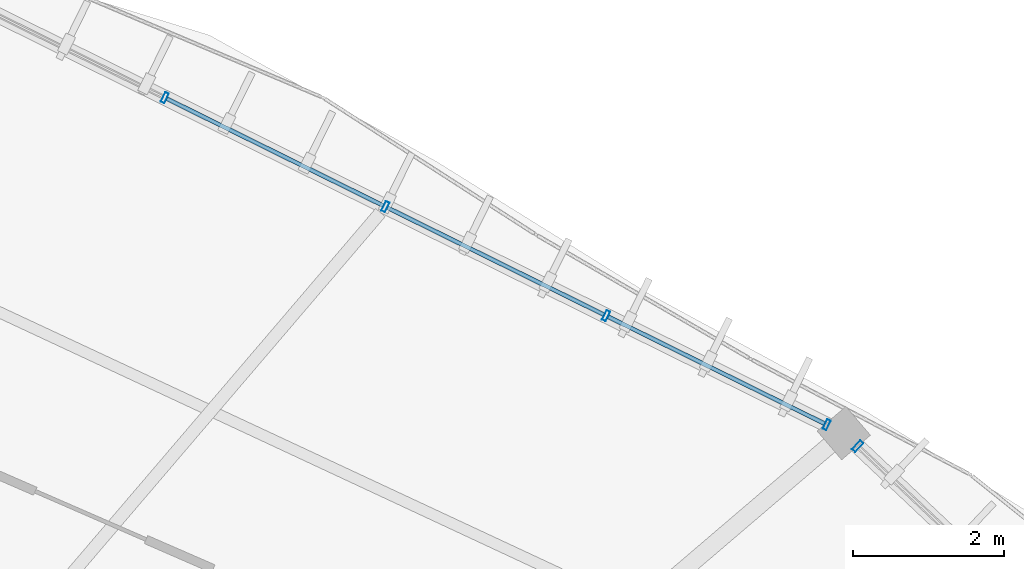
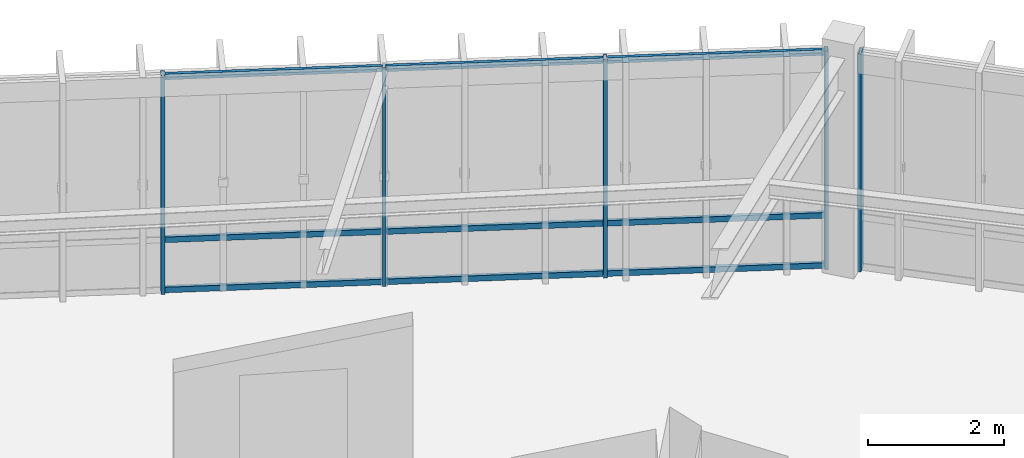
# One storey, part 62 of 78: 14 members, 2 elements without a shape of their own.
"""IFC4 building model written with IfcOpenShell, lengths in metres."""

from ifc_helpers import new_model, si_unit, direction, frame, origin, origin_2d, place, context, subcontext, project, spatial, hollow_rectangle, extrude, material, material_profile, profile_set, type_object, element, aggregate, save


model = new_model("IFC4")

# Units and contexts
model_context = context("Model", 3, precision=1e-05, world=origin(), true_north=direction((0.0, 1.0)))
body_context = subcontext(model_context, "Body", "Model", "MODEL_VIEW")
ifc_project = project(units=[si_unit("LENGTHUNIT", "METRE"), si_unit("AREAUNIT", "SQUARE_METRE"), si_unit("VOLUMEUNIT", "CUBIC_METRE"), si_unit("PLANEANGLEUNIT", "RADIAN"), si_unit("MASSUNIT", "GRAM", prefix="KILO"), si_unit("THERMODYNAMICTEMPERATUREUNIT", "KELVIN"), si_unit("POWERUNIT", "WATT")], contexts=[model_context])

# Site, building, storey
site_placement = place(None, origin())
site = spatial("IfcSite", under=ifc_project, at=site_placement, CompositionType="ELEMENT")
building_placement = place(site_placement, origin())
building = spatial("IfcBuilding", under=site, at=building_placement, Name="Darbajah Civic Hall", CompositionType="ELEMENT")
storey_placement = place(building_placement, frame((0.0, 0.0, 26.39990234375)))
storey = spatial("IfcBuildingStorey", under=building, at=storey_placement, Name="L06", CompositionType="ELEMENT", Elevation=26.39990234375)

# Curtain wall, members
ifc_material_1 = material(Name="Anodised Bronze Aluminium and Low-E Glazing", Category="aluminium")
curtain_wall_type_1 = type_object("IfcCurtainWallType", Name="Unitised Curtain Wall CW-79 13000x3900", PredefinedType="USERDEFINED", material=ifc_material_1)
curtain_wall_1_placement = place(storey_placement, origin())
curtain_wall_1 = element("IfcCurtainWall", 1, at=curtain_wall_1_placement, inside=storey, type_object=curtain_wall_type_1, Name="L06 unitised curtain wall CW-V1O-L06-02", ObjectType="UNITISED CURTAIN WALL", PredefinedType="USERDEFINED")
ifc_material_2 = material(Name="Anodised Bronze Aluminium", Category="aluminium")
ifc_material_profile_1 = material_profile(ifc_material_2, hollow_rectangle(XDim=0.054931640625, YDim=0.139892578125, WallThickness=0.003173828125, at=origin_2d()), Name="ALU MULLION 55x140")
ifc_profile_set_1 = profile_set([ifc_material_profile_1], Name="Anodised Bronze Aluminium")
member_type_1 = type_object("IfcMemberType", Name="ALU MULLION 55x140", PredefinedType="MULLION", material=ifc_profile_set_1)
member_1_placement = place(storey_placement, frame((127.65478515625, 109.0703125, 0.0), z_axis=(0.0, 0.0, 1.0), x_axis=(-0.89656374724, 0.442914717678, 0.0)))
member_1 = element("IfcMember", 2, at=member_1_placement, type_object=member_type_1, Name="CW-V1O-L06-02 mullion 1", PredefinedType="MULLION", context=body_context, shape_type="SweptSolid", body=[
    extrude(hollow_rectangle(XDim=0.054931640625, YDim=0.139892578125, WallThickness=0.003173828125, at=origin_2d()), origin(), (0.0, 0.0, 1.0), 3.920166015625),
])
member_2_placement = place(storey_placement, frame((124.734375, 110.51318359375, 0.0), z_axis=(0.0, 0.0, 1.0), x_axis=(-0.89656374724, 0.442914717678, 0.0)))
member_2 = element("IfcMember", 3, at=member_2_placement, type_object=member_type_1, Name="CW-V1O-L06-02 mullion 2", PredefinedType="MULLION", context=body_context, shape_type="SweptSolid", body=[
    extrude(hollow_rectangle(XDim=0.054931640625, YDim=0.139892578125, WallThickness=0.003173828125, at=origin_2d()), origin(), (0.0, 0.0, 1.0), 3.920166015625),
])
member_3_placement = place(storey_placement, frame((121.81396484375, 111.955810546875, 0.0), z_axis=(0.0, 0.0, 1.0), x_axis=(-0.89656374724, 0.442914717678, 0.0)))
member_3 = element("IfcMember", 4, at=member_3_placement, type_object=member_type_1, Name="CW-V1O-L06-02 mullion 3", PredefinedType="MULLION", context=body_context, shape_type="SweptSolid", body=[
    extrude(hollow_rectangle(XDim=0.054931640625, YDim=0.139892578125, WallThickness=0.003173828125, at=origin_2d()), origin(), (0.0, 0.0, 1.0), 3.920166015625),
])
member_4_placement = place(storey_placement, frame((118.893798828125, 113.398681640625, 0.0), z_axis=(0.0, 0.0, 1.0), x_axis=(-0.89656374724, 0.442914717678, 0.0)))
member_4 = element("IfcMember", 5, at=member_4_placement, type_object=member_type_1, Name="CW-V1O-L06-02 mullion 4", PredefinedType="MULLION", context=body_context, shape_type="SweptSolid", body=[
    extrude(hollow_rectangle(XDim=0.054931640625, YDim=0.139892578125, WallThickness=0.003173828125, at=origin_2d()), origin(), (0.0, 0.0, 1.0), 3.920166015625),
])

# Curtain wall, member
curtain_wall_type_2 = type_object("IfcCurtainWallType", Name="Unitised Curtain Wall CW-86 11000x3900", PredefinedType="USERDEFINED", material=ifc_material_1)
curtain_wall_2_placement = place(storey_placement, origin())
curtain_wall_2 = element("IfcCurtainWall", 6, at=curtain_wall_2_placement, inside=storey, type_object=curtain_wall_type_2, Name="L06 unitised curtain wall CW-V1O-L06-01", ObjectType="UNITISED CURTAIN WALL", PredefinedType="USERDEFINED")
ifc_material_profile_2 = material_profile(ifc_material_2, hollow_rectangle(XDim=0.06005859375, YDim=0.159912109375, WallThickness=0.00341796875, at=origin_2d()), Name="ALU MULLION 60x160")
ifc_profile_set_2 = profile_set([ifc_material_profile_2], Name="Anodised Bronze Aluminium")
member_type_2 = type_object("IfcMemberType", Name="ALU MULLION 60x160", PredefinedType="MULLION", material=ifc_profile_set_2)
member_5_placement = place(storey_placement, frame((128.06396484375, 108.78564453125, 0.0), z_axis=(0.0, 0.0, 1.0), x_axis=(-0.727173991201, 0.686453193248, 0.0)))
member_5 = element("IfcMember", 7, at=member_5_placement, type_object=member_type_2, Name="CW-V1O-L06-01 mullion 5", PredefinedType="MULLION", context=body_context, shape_type="SweptSolid", body=[
    extrude(hollow_rectangle(XDim=0.06005859375, YDim=0.159912109375, WallThickness=0.00341796875, at=origin_2d()), origin(), (0.0, 0.0, 1.0), 3.920166015625),
])
aggregate(curtain_wall_2, [member_5])

# Member
ifc_material_profile_3 = material_profile(ifc_material_2, hollow_rectangle(XDim=0.054931640625, YDim=0.10009765625, WallThickness=0.0029296875, at=origin_2d()), Name="ALU TRANSOM 55x100")
ifc_profile_set_3 = profile_set([ifc_material_profile_3], Name="Anodised Bronze Aluminium")
member_type_3 = type_object("IfcMemberType", Name="ALU TRANSOM 55x100", PredefinedType="USERDEFINED", material=ifc_profile_set_3)
member_6_placement = place(storey_placement, frame((127.625732421875, 109.084716796875, 0.050048828125), z_axis=(-0.896543151923, 0.442956405011, 0.0), x_axis=(-0.442956405011, -0.896543151923, 0.0)))
member_6 = element("IfcMember", 8, at=member_6_placement, type_object=member_type_3, Name="CW-V1O-L06-02 transom 1.1", ObjectType="TRANSOM", PredefinedType="USERDEFINED", context=body_context, shape_type="SweptSolid", body=[
    extrude(hollow_rectangle(XDim=0.054931640625, YDim=0.10009765625, WallThickness=0.0029296875, at=origin_2d()), origin(), (0.0, 0.0, 1.0), 3.1923828125),
])

member_7_placement = place(storey_placement, frame((127.625732421875, 109.084716796875, 0.9501953125), z_axis=(-0.896543151923, 0.442956405011, 0.0), x_axis=(-0.442956405011, -0.896543151923, 0.0)))
member_7 = element("IfcMember", 9, at=member_7_placement, type_object=member_type_3, Name="CW-V1O-L06-02 transom 1.2", ObjectType="TRANSOM", PredefinedType="USERDEFINED", context=body_context, shape_type="SweptSolid", body=[
    extrude(hollow_rectangle(XDim=0.054931640625, YDim=0.10009765625, WallThickness=0.0029296875, at=origin_2d()), origin(), (0.0, 0.0, 1.0), 3.1923828125),
])

member_8_placement = place(storey_placement, frame((127.625732421875, 109.084716796875, 3.8701171875), z_axis=(-0.896543151923, 0.442956405011, 0.0), x_axis=(-0.442956405011, -0.896543151923, 0.0)))
member_8 = element("IfcMember", 10, at=member_8_placement, type_object=member_type_3, Name="CW-V1O-L06-02 transom 1.3", ObjectType="TRANSOM", PredefinedType="USERDEFINED", context=body_context, shape_type="SweptSolid", body=[
    extrude(hollow_rectangle(XDim=0.054931640625, YDim=0.10009765625, WallThickness=0.0029296875, at=origin_2d()), origin(), (0.0, 0.0, 1.0), 3.1923828125),
])

member_9_placement = place(storey_placement, frame((124.705322265625, 110.52734375, 0.050048828125), z_axis=(-0.896543151923, 0.442956405011, 0.0), x_axis=(-0.442956405011, -0.896543151923, 0.0)))
member_9 = element("IfcMember", 11, at=member_9_placement, type_object=member_type_3, Name="CW-V1O-L06-02 transom 2.1", ObjectType="TRANSOM", PredefinedType="USERDEFINED", context=body_context, shape_type="SweptSolid", body=[
    extrude(hollow_rectangle(XDim=0.054931640625, YDim=0.10009765625, WallThickness=0.0029296875, at=origin_2d()), origin(), (0.0, 0.0, 1.0), 3.1923828125),
])

member_10_placement = place(storey_placement, frame((124.705322265625, 110.52734375, 0.9501953125), z_axis=(-0.896543151923, 0.442956405011, 0.0), x_axis=(-0.442956405011, -0.896543151923, 0.0)))
member_10 = element("IfcMember", 12, at=member_10_placement, type_object=member_type_3, Name="CW-V1O-L06-02 transom 2.2", ObjectType="TRANSOM", PredefinedType="USERDEFINED", context=body_context, shape_type="SweptSolid", body=[
    extrude(hollow_rectangle(XDim=0.054931640625, YDim=0.10009765625, WallThickness=0.0029296875, at=origin_2d()), origin(), (0.0, 0.0, 1.0), 3.1923828125),
])

member_11_placement = place(storey_placement, frame((124.705322265625, 110.52734375, 3.8701171875), z_axis=(-0.896543151923, 0.442956405011, 0.0), x_axis=(-0.442956405011, -0.896543151923, 0.0)))
member_11 = element("IfcMember", 13, at=member_11_placement, type_object=member_type_3, Name="CW-V1O-L06-02 transom 2.3", ObjectType="TRANSOM", PredefinedType="USERDEFINED", context=body_context, shape_type="SweptSolid", body=[
    extrude(hollow_rectangle(XDim=0.054931640625, YDim=0.10009765625, WallThickness=0.0029296875, at=origin_2d()), origin(), (0.0, 0.0, 1.0), 3.1923828125),
])

member_12_placement = place(storey_placement, frame((121.784912109375, 111.97021484375, 0.050048828125), z_axis=(-0.896543151923, 0.442956405011, 0.0), x_axis=(-0.442956405011, -0.896543151923, 0.0)))
member_12 = element("IfcMember", 14, at=member_12_placement, type_object=member_type_3, Name="CW-V1O-L06-02 transom 3.1", ObjectType="TRANSOM", PredefinedType="USERDEFINED", context=body_context, shape_type="SweptSolid", body=[
    extrude(hollow_rectangle(XDim=0.054931640625, YDim=0.10009765625, WallThickness=0.0029296875, at=origin_2d()), origin(), (0.0, 0.0, 1.0), 3.1923828125),
])

member_13_placement = place(storey_placement, frame((121.784912109375, 111.97021484375, 0.9501953125), z_axis=(-0.896543151923, 0.442956405011, 0.0), x_axis=(-0.442956405011, -0.896543151923, 0.0)))
member_13 = element("IfcMember", 15, at=member_13_placement, type_object=member_type_3, Name="CW-V1O-L06-02 transom 3.2", ObjectType="TRANSOM", PredefinedType="USERDEFINED", context=body_context, shape_type="SweptSolid", body=[
    extrude(hollow_rectangle(XDim=0.054931640625, YDim=0.10009765625, WallThickness=0.0029296875, at=origin_2d()), origin(), (0.0, 0.0, 1.0), 3.1923828125),
])

member_14_placement = place(storey_placement, frame((121.784912109375, 111.97021484375, 3.8701171875), z_axis=(-0.896543151923, 0.442956405011, 0.0), x_axis=(-0.442956405011, -0.896543151923, 0.0)))
member_14 = element("IfcMember", 16, at=member_14_placement, type_object=member_type_3, Name="CW-V1O-L06-02 transom 3.3", ObjectType="TRANSOM", PredefinedType="USERDEFINED", context=body_context, shape_type="SweptSolid", body=[
    extrude(hollow_rectangle(XDim=0.054931640625, YDim=0.10009765625, WallThickness=0.0029296875, at=origin_2d()), origin(), (0.0, 0.0, 1.0), 3.1923828125),
])

aggregate(curtain_wall_1, [member_1, member_2, member_3, member_4, member_6, member_7, member_8, member_9, member_10, member_11, member_12, member_13, member_14])

save(model, "model.ifc")
